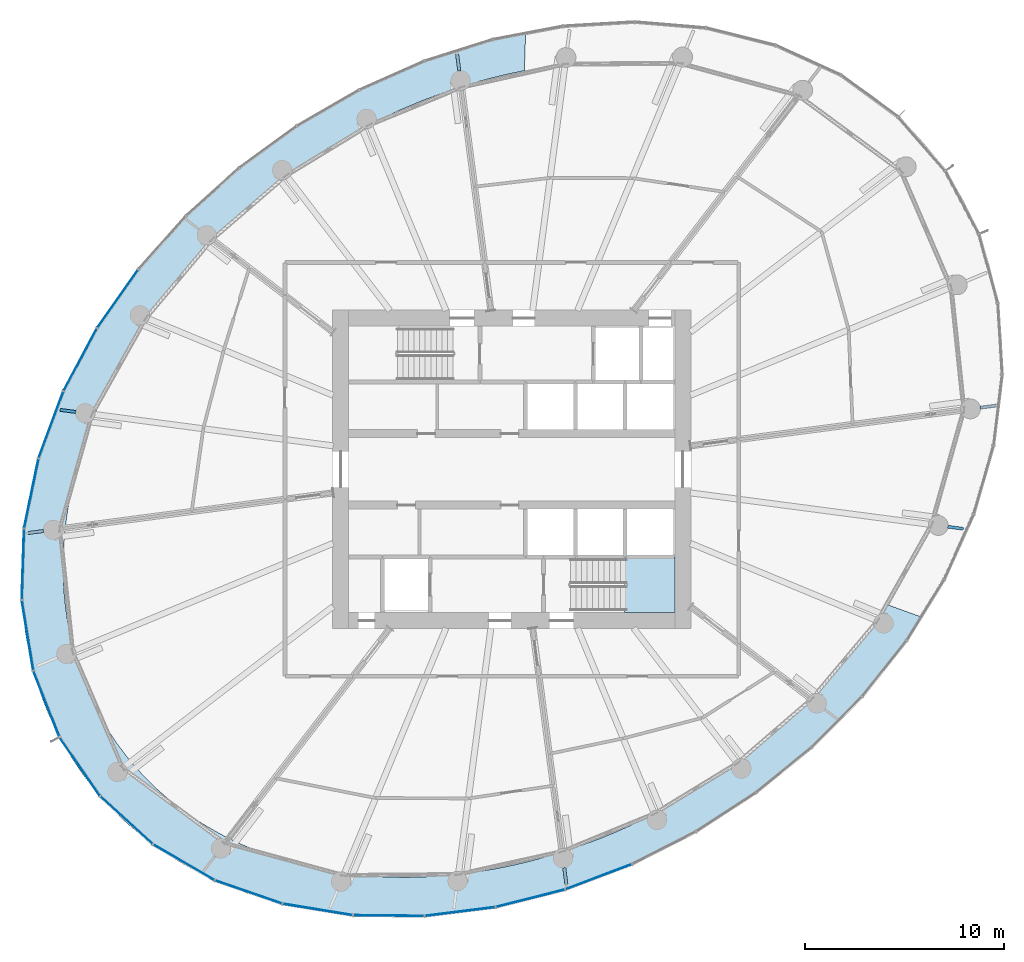
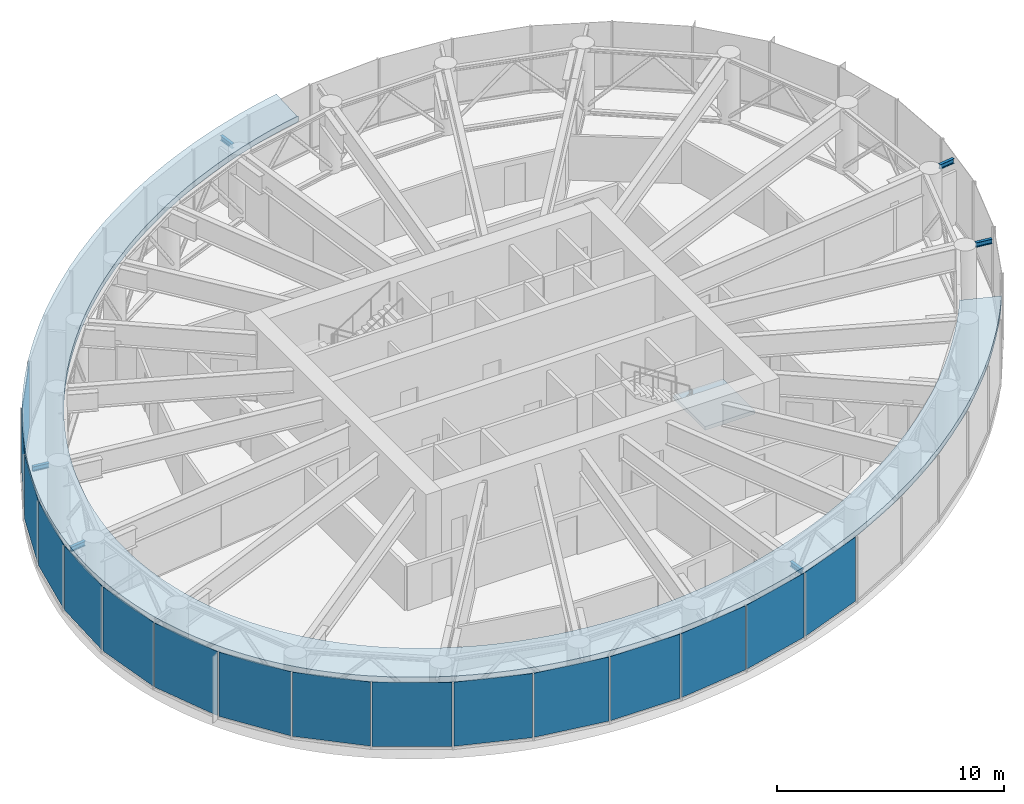
# One storey, part 11 of 25: 16 plates, 6 beams, 2 slabs, 4 elements without a shape of their own.
"""IFC4 building model written with IfcOpenShell, lengths in metres."""

from ifc_helpers import new_model, si_unit, direction, frame, origin, origin_2d, place, context, subcontext, project, spatial, line, indexed_curve, rectangle, i_section, outline, extrude, source, transform, mapped, material, layer, layer_set, material_profile, profile_set, type_object, element, aggregate, save


model = new_model("IFC4")

# Units and contexts
model_context = context("Model", 3, precision=1e-05, world=origin(), true_north=direction((0.0, 1.0)))
body_context = subcontext(model_context, "Body", "Model", "MODEL_VIEW")
ifc_project = project(units=[si_unit("LENGTHUNIT", "METRE"), si_unit("AREAUNIT", "SQUARE_METRE"), si_unit("VOLUMEUNIT", "CUBIC_METRE"), si_unit("PLANEANGLEUNIT", "RADIAN"), si_unit("MASSUNIT", "GRAM", prefix="KILO")], contexts=[model_context])

# Site, building, storey
site_placement = place(None, origin())
site = spatial("IfcSite", under=ifc_project, at=site_placement, CompositionType="ELEMENT")
building_placement = place(site_placement, origin())
building = spatial("IfcBuilding", under=site, at=building_placement, Name="Spindrift Exchange Tower", CompositionType="ELEMENT")
storey_placement = place(building_placement, frame((0.0, 0.0, 179.89990234375)))
storey = spatial("IfcBuildingStorey", under=building, at=storey_placement, Name="L43", CompositionType="ELEMENT", Elevation=179.89990234375)

# Beams
ifc_material_1 = material(Name="Steel Grade 300", Category="steel")
ifc_material_profile = material_profile(ifc_material_1, i_section(OverallWidth=0.14599609375, OverallDepth=0.251953125, WebThickness=0.006103515625, FlangeThickness=0.008544921875, FilletRadius=0.011962890625, at=origin_2d()), Name="250UB31.4")
ifc_profile_set = profile_set([ifc_material_profile], Name="Steel Grade 300")
beam_type = type_object("IfcBeamType", Name="Cantilever Beam 250UB31.4 Steel Grade 300", PredefinedType="BEAM", material=ifc_profile_set)
shared_shape_1 = source(origin(), body_context, "Body", "SweptSolid", [
    extrude(i_section(OverallWidth=0.14599609375, OverallDepth=0.251953125, WebThickness=0.006103515625, FlangeThickness=0.008544921875, FilletRadius=0.011962890625, at=origin_2d()), origin(), (0.0, 0.0, 1.0), 0.78466796875),
])
for number, where, z_axis, x_axis, name in (
    (1, (75.537841796875, 51.098876953125, 3.4541015625), (0.991468055404, 0.130349894953, 0.0), (-0.130349894953, 0.991468055404, 0.0), "L43 cantilever beam R01T"),
    (2, (28.462158203125, 44.901123046875, 3.4541015625), (-0.991468055404, -0.130349894953, 0.0), (0.130349894953, -0.991468055404, 0.0), "L43 cantilever beam R13T"),
):
    element("IfcBeam", number, at=place(storey_placement, frame(where, z_axis=z_axis, x_axis=x_axis)), inside=storey, type_object=beam_type, Name=name, PredefinedType="BEAM", context=body_context, shape_type="MappedRepresentation", body=[
        mapped(shared_shape_1, transform((0.0, 0.0, 0.0), scale=1.0)),
    ])
shared_shape_2 = source(origin(), body_context, "Body", "SweptSolid", [
    extrude(i_section(OverallWidth=0.14599609375, OverallDepth=0.251953125, WebThickness=0.006103515625, FlangeThickness=0.008544921875, FilletRadius=0.011962890625, at=origin_2d()), origin(), (0.0, 0.0, 1.0), 0.84228515625),
])
for number, where, z_axis, x_axis, name in (
    (3, (49.36328125, 68.027099609375, 3.4541015625), (-0.130417027817, 0.991459227026, 0.0), (-0.991459227026, -0.130417027817, 0.0), "L43 cantilever beam R07T"),
    (4, (54.63671875, 27.972900390625, 3.4541015625), (0.130417027817, -0.991459227026, 0.0), (0.991459227026, 0.130417027817, 0.0), "L43 cantilever beam R19T"),
):
    element("IfcBeam", number, at=place(storey_placement, frame(where, z_axis=z_axis, x_axis=x_axis)), inside=storey, type_object=beam_type, Name=name, PredefinedType="BEAM", context=body_context, shape_type="MappedRepresentation", body=[
        mapped(shared_shape_2, transform((0.0, 0.0, 0.0), scale=1.0)),
    ])
shared_shape_3 = source(origin(), body_context, "Body", "SweptSolid", [
    extrude(i_section(OverallWidth=0.14599609375, OverallDepth=0.251953125, WebThickness=0.006103515625, FlangeThickness=0.008544921875, FilletRadius=0.011962890625, at=origin_2d()), origin(), (0.0, 0.0, 1.0), 0.7890625),
])
for number, where, z_axis, x_axis, name in (
    (5, (30.0830078125, 50.885498046875, 3.4541015625), (-0.99147745178, 0.130278404244, 0.0), (-0.130278404244, -0.99147745178, 0.0), "L43 cantilever beam R12T"),
    (6, (73.9169921875, 45.114501953125, 3.4541015625), (0.99147745178, -0.130278404244, 0.0), (0.130278404244, 0.99147745178, 0.0), "L43 cantilever beam R24T"),
):
    element("IfcBeam", number, at=place(storey_placement, frame(where, z_axis=z_axis, x_axis=x_axis)), inside=storey, type_object=beam_type, Name=name, PredefinedType="BEAM", context=body_context, shape_type="MappedRepresentation", body=[
        mapped(shared_shape_3, transform((0.0, 0.0, 0.0), scale=1.0)),
    ])

# Slab
ifc_material_2 = material(Name="Concrete 40 MPa", Category="concrete")
ifc_layer_1 = layer(ifc_material_2, 0.320068359375)
ifc_layer_set_1 = layer_set([ifc_layer_1], Name="RC Ledge Roof Slab 320 Concrete 40 MPa")
slab_type_1 = type_object("IfcSlabType", Name="RC Ledge Roof Slab 320 Concrete 40 MPa", PredefinedType="ROOF", material=ifc_layer_set_1)
slab_1_placement = place(storey_placement, frame((0.0, 0.0, 3.580078125)))
element("IfcSlab", 7, at=slab_1_placement, inside=storey, type_object=slab_type_1, Name="Setback ledge roof L44", PredefinedType="ROOF", context=body_context, shape_type="SweptSolid", body=[
    extrude(outline(indexed_curve([(72.654541015625, 40.598388671875), (72.1904296875, 39.888916015625), (71.72265625, 39.2158203125), (71.481689453125, 38.883544921875), (70.986572265625, 38.228515625), (70.475341796875, 37.587646484375), (70.212890625, 37.271484375), (69.6767578125, 36.650146484375), (69.12548828125, 36.043212890625), (68.843505859375, 35.744140625), (68.27001953125, 35.158203125), (67.9775390625, 34.870361328125), (67.681396484375, 34.585693359375), (67.07958984375, 34.028564453125), (66.4638671875, 33.485595703125), (65.5166015625, 32.69970703125), (64.5419921875, 31.94873046875), (63.540771484375, 31.23291015625), (62.85888671875, 30.775390625), (61.816650390625, 30.12060546875), (60.75244140625, 29.50390625), (60.0302734375, 29.114013671875), (58.929443359375, 28.56201171875), (58.185546875, 28.217041015625), (57.810302734375, 28.051513671875), (57.0537109375, 27.734130859375), (56.67236328125, 27.58251953125), (55.904296875, 27.293701171875), (55.516845703125, 27.156494140625), (54.739013671875, 26.897705078125), (53.953125, 26.65869140625), (53.558349609375, 26.547119140625), (52.76513671875, 26.340087890625), (51.9658203125, 26.154052734375), (51.161865234375, 25.990234375), (50.75830078125, 25.916748046875), (49.947265625, 25.786865234375), (49.134521484375, 25.680419921875), (48.7265625, 25.63623046875), (47.908935546875, 25.566162109375), (47.089599609375, 25.52099609375), (46.6796875, 25.5078125), (45.859130859375, 25.50146484375), (45.0380859375, 25.521484375), (44.21875, 25.56884765625), (43.402587890625, 25.644287109375), (42.9951171875, 25.692626953125), (42.183349609375, 25.811279296875), (41.375244140625, 25.959716796875), (40.574462890625, 26.13818359375), (39.7822265625, 26.34765625), (39.388916015625, 26.46435546875), (38.609619140625, 26.72119140625), (37.8408203125, 27.010986328125), (37.0859375, 27.3330078125), (36.347412109375, 27.6875), (35.983642578125, 27.877197265625), (35.269775390625, 28.281982421875), (34.57470703125, 28.72021484375), (33.903564453125, 29.18994140625), (33.5751953125, 29.43798828125), (33.254150390625, 29.693603515625), (32.939453125, 29.956787109375), (32.631591796875, 30.22802734375), (32.330810546875, 30.5068359375), (32.037109375, 30.79345703125), (31.7509765625, 31.08740234375), (31.472412109375, 31.388671875), (31.20166015625, 31.697021484375), (30.939208984375, 32.01220703125), (30.684814453125, 32.334228515625), (30.439208984375, 32.662841796875), (30.2021484375, 32.997802734375), (29.97412109375, 33.3388671875), (29.7548828125, 33.685791015625), (29.544921875, 34.0380859375), (29.34423828125, 34.39599609375), (29.15283203125, 34.7587890625), (28.970947265625, 35.126708984375), (28.798583984375, 35.498779296875), (28.635986328125, 35.87548828125), (28.48291015625, 36.256103515625), (28.339599609375, 36.640625), (28.206298828125, 37.02734375), (28.08251953125, 37.41845703125), (27.96826171875, 37.8125), (27.86376953125, 38.209228515625), (27.68359375, 39.009765625), (27.54150390625, 39.81787109375), (27.43701171875, 40.633056640625), (27.369873046875, 41.449462890625), (27.338623046875, 42.2705078125), (27.342529296875, 43.091064453125), (27.357421875, 43.501220703125), (27.412353515625, 44.318603515625), (27.5, 45.135498046875), (27.618896484375, 45.9462890625), (27.690185546875, 46.3515625), (27.8544921875, 47.154541015625), (27.947509765625, 47.553955078125), (28.048095703125, 47.95263671875), (28.269287109375, 48.741943359375), (28.517578125, 49.52490234375), (28.651611328125, 49.91259765625), (28.9384765625, 50.681396484375), (29.091064453125, 51.0625), (29.413818359375, 51.81591796875), (29.58447265625, 52.189697265625), (29.94140625, 52.927734375), (30.3212890625, 53.656005859375), (30.518798828125, 54.015625), (30.92919921875, 54.72607421875), (31.14208984375, 55.076904296875), (31.581787109375, 55.768798828125), (31.8095703125, 56.111083984375), (32.277587890625, 56.784912109375), (32.763427734375, 57.4453125), (33.012939453125, 57.77099609375), (33.524658203125, 58.412353515625), (33.786865234375, 58.728271484375), (34.05322265625, 59.041015625), (34.5966796875, 59.65478515625), (34.875, 59.957275390625), (35.441650390625, 60.55078125), (35.73046875, 60.84228515625), (36.318359375, 61.413818359375), (37.226318359375, 62.24462890625), (38.164306640625, 63.041748046875), (39.13037109375, 63.80517578125), (40.123046875, 64.53271484375), (41.14111328125, 65.224609375), (41.833251953125, 65.665283203125), (42.53515625, 66.089111328125), (43.607421875, 66.693359375), (44.70166015625, 67.25830078125), (45.070556640625, 67.43798828125), (45.81494140625, 67.783203125), (46.190185546875, 67.94873046875), (46.947021484375, 68.26611328125), (47.710693359375, 68.564208984375), (48.096435546875, 68.706298828125), (48.483154296875, 68.843505859375), (49.26171875, 69.102294921875), (49.653564453125, 69.224365234375), (50.44091796875, 69.45263671875), (51.23486328125, 69.659912109375), (51.6337890625, 69.755615234375), (52.03466796875, 69.84619140625), (52.73681640625, 69.989990234375), (52.70849609375, 69.97314453125), (52.696533203125, 69.9423828125), (52.63818359375, 68.104736328125), (52.65576171875, 68.065185546875), (52.697509765625, 68.053955078125), (51.7900390625, 67.865478515625), (51.061279296875, 67.690673828125), (50.337646484375, 67.49609375), (49.2626953125, 67.168701171875), (48.553466796875, 66.927490234375), (47.501708984375, 66.5322265625), (46.46533203125, 66.09765625), (45.78369140625, 65.78662109375), (45.10986328125, 65.459228515625), (44.444091796875, 65.115234375), (43.786865234375, 64.755615234375), (42.817626953125, 64.1865234375), (41.869873046875, 63.583251953125), (41.25, 63.162353515625), (40.339599609375, 62.503662109375), (39.745849609375, 62.04638671875), (39.16357421875, 61.5751953125), (38.592529296875, 61.08984375), (38.033447265625, 60.591064453125), (37.487060546875, 60.078857421875), (36.952880859375, 59.55322265625), (36.432373046875, 59.0146484375), (35.677001953125, 58.1826171875), (35.19091796875, 57.612060546875), (34.72021484375, 57.029541015625), (34.042724609375, 56.1328125), (33.611572265625, 55.52001953125), (33.197265625, 54.896240234375), (32.800048828125, 54.260986328125), (32.608154296875, 53.938720703125), (32.238525390625, 53.287109375), (31.88818359375, 52.625), (31.5576171875, 51.952392578125), (31.247802734375, 51.270751953125), (30.95947265625, 50.579345703125), (30.693115234375, 49.879150390625), (30.4501953125, 49.17041015625), (30.337646484375, 48.81298828125), (30.130859375, 48.092529296875), (29.949951171875, 47.365966796875), (29.868896484375, 46.999755859375), (29.727783203125, 46.26416015625), (29.614501953125, 45.5234375), (29.52978515625, 44.779541015625), (29.47509765625, 44.032470703125), (29.458984375, 43.65771484375), (29.450927734375, 42.908447265625), (29.474853515625, 42.160400390625), (29.4990234375, 41.785888671875), (29.572509765625, 41.041015625), (29.680419921875, 40.299560546875), (29.747314453125, 39.930419921875), (29.906982421875, 39.19921875), (30.000244140625, 38.835693359375), (30.213134765625, 38.117431640625), (30.46142578125, 37.411376953125), (30.74560546875, 36.718017578125), (30.90087890625, 36.377197265625), (31.06494140625, 36.039794921875), (31.4189453125, 35.37939453125), (31.806396484375, 34.739013671875), (32.0126953125, 34.426513671875), (32.227783203125, 34.118896484375), (32.679931640625, 33.5224609375), (32.918212890625, 33.232666015625), (33.416259765625, 32.673095703125), (33.942138671875, 32.14013671875), (34.2158203125, 31.88330078125), (34.780517578125, 31.39208984375), (35.36962890625, 30.929443359375), (35.673095703125, 30.70849609375), (36.2939453125, 30.29052734375), (36.612548828125, 30.09228515625), (37.26171875, 29.71875), (37.593017578125, 29.543212890625), (38.266357421875, 29.215087890625), (38.952880859375, 28.9169921875), (39.65234375, 28.6484375), (40.006591796875, 28.52490234375), (40.72119140625, 28.30029296875), (41.444091796875, 28.104736328125), (42.17431640625, 27.93701171875), (42.5419921875, 27.863525390625), (43.280517578125, 27.7373046875), (44.0224609375, 27.6376953125), (44.7685546875, 27.564208984375), (45.14208984375, 27.537109375), (45.890380859375, 27.501708984375), (46.6396484375, 27.49072265625), (47.388671875, 27.50390625), (48.13671875, 27.54052734375), (48.88330078125, 27.599853515625), (49.628173828125, 27.681396484375), (50.3701171875, 27.784912109375), (51.10888671875, 27.9091796875), (51.477294921875, 27.979248046875), (52.2099609375, 28.134521484375), (52.9384765625, 28.309326171875), (54.022216796875, 28.6083984375), (54.737060546875, 28.831298828125), (55.446533203125, 29.072509765625), (56.49853515625, 29.468017578125), (57.191162109375, 29.75341796875), (57.876708984375, 30.055908203125), (58.55419921875, 30.375), (59.22412109375, 30.710693359375), (59.8857421875, 31.062744140625), (60.538330078125, 31.43017578125), (61.50048828125, 32.010498046875), (62.13037109375, 32.4169921875), (62.75, 32.837890625), (63.660400390625, 33.496337890625), (64.254150390625, 33.95361328125), (64.836669921875, 34.425048828125), (65.407470703125, 34.91015625), (66.241455078125, 35.66357421875), (67.046875, 36.446533203125), (67.56787109375, 36.985595703125), (68.322998046875, 37.8173828125), (68.808837890625, 38.3876953125), (69.509521484375, 39.266357421875), (69.95703125, 39.8671875), (70.388427734375, 40.47998046875), (70.898193359375, 41.254150390625), (70.893310546875, 41.211181640625), (70.923583984375, 41.180419921875), (72.59521484375, 40.577880859375), (72.62841796875, 40.57763671875)], segments=[line(1, 2, 3, 4, 5, 6, 7, 8, 9, 10, 11, 12, 13, 14, 15, 16, 17, 18, 19, 20, 21, 22, 23, 24, 25, 26, 27, 28, 29, 30, 31, 32, 33, 34, 35, 36, 37, 38, 39, 40, 41, 42, 43, 44, 45, 46, 47, 48, 49, 50, 51, 52, 53, 54, 55, 56, 57, 58, 59, 60, 61, 62, 63, 64, 65, 66, 67, 68, 69, 70, 71, 72, 73, 74, 75, 76, 77, 78, 79, 80, 81, 82, 83, 84, 85, 86, 87, 88, 89, 90, 91, 92, 93, 94, 95, 96, 97, 98, 99, 100, 101, 102, 103, 104, 105, 106, 107, 108, 109, 110, 111, 112, 113, 114, 115, 116, 117, 118, 119, 120, 121, 122, 123, 124, 125, 126, 127, 128, 129, 130, 131, 132, 133, 134, 135, 136, 137, 138, 139, 140, 141, 142, 143, 144, 145, 146, 147, 148, 149, 150, 151, 152, 153, 154, 155, 156, 157, 158, 159, 160, 161, 162, 163, 164, 165, 166, 167, 168, 169, 170, 171, 172, 173, 174, 175, 176, 177, 178, 179, 180, 181, 182, 183, 184, 185, 186, 187, 188, 189, 190, 191, 192, 193, 194, 195, 196, 197, 198, 199, 200, 201, 202, 203, 204, 205, 206, 207, 208, 209, 210, 211, 212, 213, 214, 215, 216, 217, 218, 219, 220, 221, 222, 223, 224, 225, 226, 227, 228, 229, 230, 231, 232, 233, 234, 235, 236, 237, 238, 239, 240, 241, 242, 243, 244, 245, 246, 247, 248, 249, 250, 251, 252, 253, 254, 255, 256, 257, 258, 259, 260, 261, 262, 263, 264, 265, 266, 267, 268, 269, 270, 271, 272, 273, 274, 275, 276, 277, 278, 279, 280, 281, 282, 1)], self_intersect=False)), origin(), (0.0, 0.0, 1.0), 0.320068359375),
])

# Stair, slab
ifc_material_3 = material(Name="Concrete 50 MPa", Category="concrete")
stair_type = type_object("IfcStairType", Name="ST-1250-R177", PredefinedType="HALF_TURN_STAIR", material=ifc_material_3)
stair_placement = place(storey_placement, origin())
stair = element("IfcStair", 8, at=stair_placement, inside=storey, type_object=stair_type, Name="L43 Exit stair ST2", PredefinedType="HALF_TURN_STAIR")
ifc_layer_2 = layer(ifc_material_3, 0.199951171875)
ifc_layer_set_2 = layer_set([ifc_layer_2], Name="SL-LANDING")
slab_type_2 = type_object("IfcSlabType", Name="SL-LANDING", PredefinedType="LANDING", material=ifc_layer_set_2)
slab_2_placement = place(storey_placement, frame((0.0, 0.0, 1.75)))
slab_2 = element("IfcSlab", 9, at=slab_2_placement, type_object=slab_type_2, Name="ST2 landing 1", PredefinedType="LANDING", context=body_context, shape_type="SweptSolid", body=[
    extrude(outline(indexed_curve([(57.669921875, 43.60009765625), (60.199951171875, 43.60009765625), (60.199951171875, 40.800048828125), (57.669921875, 40.800048828125)], segments=[line(1, 2, 3, 4, 1)], self_intersect=False)), origin(), (0.0, 0.0, 1.0), 0.2001953125),
])
aggregate(stair, [slab_2])

# Curtain wall, plate
ifc_material_4 = material(Name="Fritted laminated glass with bronze frame", Category="glass")
ifc_layer_3 = layer(ifc_material_4, 0.179931640625)
ifc_layer_set_3 = layer_set([ifc_layer_3], Name="ZONE 3 BRONZE FRITTED WALL")
curtain_wall_type = type_object("IfcCurtainWallType", Name="ZONE 3 BRONZE FRITTED WALL", PredefinedType="NOTDEFINED", material=ifc_layer_set_3)
curtain_wall_1_placement = place(storey_placement, origin())
curtain_wall_1 = element("IfcCurtainWall", 10, at=curtain_wall_1_placement, inside=storey, type_object=curtain_wall_type, Name="L43 Zone 3 Bronze Fritted Wall run 4", PredefinedType="NOTDEFINED")
ifc_material_5 = material(Name="Bronze fritted laminated glass, dense frit", Category="glass")
ifc_layer_4 = layer(ifc_material_5, 0.031982421875)
ifc_layer_set_4 = layer_set([ifc_layer_4], Name="ZONE 3 BRONZE FRITTED WALL PANEL DENSE FRIT 420")
plate_type_1 = type_object("IfcPlateType", Name="ZONE 3 BRONZE FRITTED WALL PANEL DENSE FRIT 420", PredefinedType="CURTAIN_PANEL", material=ifc_layer_set_4)
shared_shape_4 = source(origin(), body_context, "Body", "SweptSolid", [
    extrude(rectangle(XDim=3.524658203125, YDim=0.031982421875, at=origin_2d()), origin(), (0.0, 0.0, 1.0), 3.449951171875),
])
plate_1_placement = place(storey_placement, frame((30.28759765625, 33.055908203125, 0.1298828125), z_axis=(0.0, 0.0, 1.0), x_axis=(0.5669526935, -0.823750352554, 0.0)))
plate_1 = element("IfcPlate", 11, at=plate_1_placement, type_object=plate_type_1, Name="L43 panel CW-3.21", PredefinedType="CURTAIN_PANEL", context=body_context, shape_type="MappedRepresentation", body=[
    mapped(shared_shape_4, transform((0.0, 0.0, 0.0), scale=1.0)),
])

# Curtain wall, plates
curtain_wall_2_placement = place(storey_placement, origin())
curtain_wall_2 = element("IfcCurtainWall", 12, at=curtain_wall_2_placement, inside=storey, type_object=curtain_wall_type, Name="L43 Zone 3 Bronze Fritted Wall run 5", PredefinedType="NOTDEFINED")
shared_shape_5 = source(origin(), body_context, "Body", "SweptSolid", [
    extrude(rectangle(XDim=3.530517578125, YDim=0.031982421875, at=origin_2d()), origin(), (0.0, 0.0, 1.0), 3.449951171875),
])
plate_2_placement = place(storey_placement, frame((52.936279296875, 26.4375, 0.1298828125), z_axis=(0.0, 0.0, 1.0), x_axis=(0.969404663065, 0.245468122632, 0.0)))
plate_2 = element("IfcPlate", 13, at=plate_2_placement, type_object=plate_type_1, Name="L43 panel CW-3.28", PredefinedType="CURTAIN_PANEL", context=body_context, shape_type="MappedRepresentation", body=[
    mapped(shared_shape_5, transform((0.0, 0.0, 0.0), scale=1.0)),
])
ifc_layer_5 = layer(ifc_material_5, 0.031982421875)
ifc_layer_set_5 = layer_set([ifc_layer_5], Name="ZONE 3 BRONZE FRITTED WALL PANEL DENSE FRIT 300")
plate_type_2 = type_object("IfcPlateType", Name="ZONE 3 BRONZE FRITTED WALL PANEL DENSE FRIT 300", PredefinedType="CURTAIN_PANEL", material=ifc_layer_set_5)
shared_shape_6 = source(origin(), body_context, "Body", "SweptSolid", [
    extrude(rectangle(XDim=3.53076171875, YDim=0.031982421875, at=origin_2d()), origin(), (0.0, 0.0, 1.0), 3.449951171875),
])
plate_3_placement = place(storey_placement, frame((56.36474609375, 27.517578125, 0.1298828125), z_axis=(0.0, 0.0, 1.0), x_axis=(0.935062224022, 0.354483620505, 0.0)))
plate_3 = element("IfcPlate", 14, at=plate_3_placement, type_object=plate_type_2, Name="L43 panel CW-3.29", PredefinedType="CURTAIN_PANEL", context=body_context, shape_type="MappedRepresentation", body=[
    mapped(shared_shape_6, transform((0.0, 0.0, 0.0), scale=1.0)),
])

curtain_wall_3_placement = place(storey_placement, origin())
curtain_wall_3 = element("IfcCurtainWall", 15, at=curtain_wall_3_placement, inside=storey, type_object=curtain_wall_type, Name="L43 Zone 3 Bronze Fritted Wall run 3", PredefinedType="NOTDEFINED")
shared_shape_7 = source(origin(), body_context, "Body", "SweptSolid", [
    extrude(rectangle(XDim=3.530517578125, YDim=0.031982421875, at=origin_2d()), origin(), (0.0, 0.0, 1.0), 3.449951171875),
])
plate_4_placement = place(storey_placement, frame((32.193603515625, 56.574462890625, 0.1298828125), z_axis=(0.0, 0.0, 1.0), x_axis=(-0.57545211164, -0.817835476859, 0.0)))
plate_4 = element("IfcPlate", 16, at=plate_4_placement, type_object=plate_type_2, Name="L43 panel CW-3.14", PredefinedType="CURTAIN_PANEL", context=body_context, shape_type="MappedRepresentation", body=[
    mapped(shared_shape_7, transform((0.0, 0.0, 0.0), scale=1.0)),
])
ifc_layer_6 = layer(ifc_material_5, 0.031982421875)
ifc_layer_set_6 = layer_set([ifc_layer_6], Name="ZONE 3 BRONZE FRITTED WALL PANEL DENSE FRIT 180")
plate_type_3 = type_object("IfcPlateType", Name="ZONE 3 BRONZE FRITTED WALL PANEL DENSE FRIT 180", PredefinedType="CURTAIN_PANEL", material=ifc_layer_set_6)
shared_shape_8 = source(origin(), body_context, "Body", "SweptSolid", [
    extrude(rectangle(XDim=3.530029296875, YDim=0.031982421875, at=origin_2d()), origin(), (0.0, 0.0, 1.0), 3.449951171875),
])
plate_5_placement = place(storey_placement, frame((30.310302734375, 53.513916015625, 0.1298828125), z_axis=(0.0, 0.0, 1.0), x_axis=(-0.470690073109, -0.882298620126, 0.0)))
plate_5 = element("IfcPlate", 17, at=plate_5_placement, type_object=plate_type_3, Name="L43 panel CW-3.15", PredefinedType="CURTAIN_PANEL", context=body_context, shape_type="MappedRepresentation", body=[
    mapped(shared_shape_8, transform((0.0, 0.0, 0.0), scale=1.0)),
])
shared_shape_9 = source(origin(), body_context, "Body", "SweptSolid", [
    extrude(rectangle(XDim=3.529541015625, YDim=0.031982421875, at=origin_2d()), origin(), (0.0, 0.0, 1.0), 3.449951171875),
])
plate_6_placement = place(storey_placement, frame((28.838134765625, 50.238037109375, 0.1298828125), z_axis=(0.0, 0.0, 1.0), x_axis=(-0.347351396417, -0.937735041154, 0.0)))
plate_6 = element("IfcPlate", 18, at=plate_6_placement, type_object=plate_type_1, Name="L43 panel CW-3.16", PredefinedType="CURTAIN_PANEL", context=body_context, shape_type="MappedRepresentation", body=[
    mapped(shared_shape_9, transform((0.0, 0.0, 0.0), scale=1.0)),
])
shared_shape_10 = source(origin(), body_context, "Body", "SweptSolid", [
    extrude(rectangle(XDim=3.528564453125, YDim=0.031982421875, at=origin_2d()), origin(), (0.0, 0.0, 1.0), 3.449951171875),
])
plate_7_placement = place(storey_placement, frame((27.849609375, 46.7880859375, 0.1298828125), z_axis=(0.0, 0.0, 1.0), x_axis=(-0.201937813262, -0.979398345708, 0.0)))
plate_7 = element("IfcPlate", 19, at=plate_7_placement, type_object=plate_type_1, Name="L43 panel CW-3.17", PredefinedType="CURTAIN_PANEL", context=body_context, shape_type="MappedRepresentation", body=[
    mapped(shared_shape_10, transform((0.0, 0.0, 0.0), scale=1.0)),
])

# Plate
plate_8_placement = place(storey_placement, frame((42.243896484375, 25.87451171875, 0.1298828125), z_axis=(0.0, 0.0, 1.0), x_axis=(0.986935135503, -0.161118088091, 0.0)))
plate_8 = element("IfcPlate", 20, at=plate_8_placement, type_object=plate_type_1, Name="L43 panel CW-3.25", PredefinedType="CURTAIN_PANEL", context=body_context, shape_type="MappedRepresentation", body=[
    mapped(shared_shape_10, transform((0.0, 0.0, 0.0), scale=1.0)),
])

shared_shape_11 = source(origin(), body_context, "Body", "SweptSolid", [
    extrude(rectangle(XDim=3.527587890625, YDim=0.031982421875, at=origin_2d()), origin(), (0.0, 0.0, 1.0), 3.449951171875),
])
plate_9_placement = place(storey_placement, frame((27.4287109375, 43.22802734375, 0.1298828125), z_axis=(0.0, 0.0, 1.0), x_axis=(-0.031993406033, -0.999488079954, 0.0)))
plate_9 = element("IfcPlate", 21, at=plate_9_placement, type_object=plate_type_2, Name="L43 panel CW-3.18", PredefinedType="CURTAIN_PANEL", context=body_context, shape_type="MappedRepresentation", body=[
    mapped(shared_shape_11, transform((0.0, 0.0, 0.0), scale=1.0)),
])

aggregate(curtain_wall_3, [plate_4, plate_5, plate_6, plate_7, plate_9])

shared_shape_12 = source(origin(), body_context, "Body", "SweptSolid", [
    extrude(rectangle(XDim=3.526123046875, YDim=0.031982421875, at=origin_2d()), origin(), (0.0, 0.0, 1.0), 3.449951171875),
])
plate_10_placement = place(storey_placement, frame((27.660400390625, 39.655517578125, 0.1298828125), z_axis=(0.0, 0.0, 1.0), x_axis=(0.160835587106, -0.986981212547, 0.0)))
plate_10 = element("IfcPlate", 22, at=plate_10_placement, type_object=plate_type_2, Name="L43 panel CW-3.19", PredefinedType="CURTAIN_PANEL", context=body_context, shape_type="MappedRepresentation", body=[
    mapped(shared_shape_12, transform((0.0, 0.0, 0.0), scale=1.0)),
])

plate_11_placement = place(storey_placement, frame((35.513916015625, 28.244873046875, 0.1298828125), z_axis=(0.0, 0.0, 1.0), x_axis=(0.864463497217, -0.502695595743, 0.0)))
plate_11 = element("IfcPlate", 23, at=plate_11_placement, type_object=plate_type_2, Name="L43 panel CW-3.23", PredefinedType="CURTAIN_PANEL", context=body_context, shape_type="MappedRepresentation", body=[
    mapped(shared_shape_12, transform((0.0, 0.0, 0.0), scale=1.0)),
])

shared_shape_13 = source(origin(), body_context, "Body", "SweptSolid", [
    extrude(rectangle(XDim=3.525146484375, YDim=0.031982421875, at=origin_2d()), origin(), (0.0, 0.0, 1.0), 3.449951171875),
])
plate_12_placement = place(storey_placement, frame((28.609130859375, 36.20849609375, 0.1298828125), z_axis=(0.0, 0.0, 1.0), x_axis=(0.366946129288, -0.930242193303, 0.0)))
plate_12 = element("IfcPlate", 24, at=plate_12_placement, type_object=plate_type_2, Name="L43 panel CW-3.20", PredefinedType="CURTAIN_PANEL", context=body_context, shape_type="MappedRepresentation", body=[
    mapped(shared_shape_13, transform((0.0, 0.0, 0.0), scale=1.0)),
])

shared_shape_14 = source(origin(), body_context, "Body", "SweptSolid", [
    extrude(rectangle(XDim=3.525146484375, YDim=0.031982421875, at=origin_2d()), origin(), (0.0, 0.0, 1.0), 3.449951171875),
])
plate_13_placement = place(storey_placement, frame((32.633056640625, 30.362060546875, 0.1298828125), z_axis=(0.0, 0.0, 1.0), x_axis=(0.737878399604, -0.674933676296, 0.0)))
plate_13 = element("IfcPlate", 25, at=plate_13_placement, type_object=plate_type_3, Name="L43 panel CW-3.22", PredefinedType="CURTAIN_PANEL", context=body_context, shape_type="MappedRepresentation", body=[
    mapped(shared_shape_14, transform((0.0, 0.0, 0.0), scale=1.0)),
])

shared_shape_15 = source(origin(), body_context, "Body", "SweptSolid", [
    extrude(rectangle(XDim=3.527587890625, YDim=0.031982421875, at=origin_2d()), origin(), (0.0, 0.0, 1.0), 3.449951171875),
])
plate_14_placement = place(storey_placement, frame((38.768310546875, 26.752685546875, 0.1298828125), z_axis=(0.0, 0.0, 1.0), x_axis=(0.945016282268, -0.327023280898, 0.0)))
plate_14 = element("IfcPlate", 26, at=plate_14_placement, type_object=plate_type_3, Name="L43 panel CW-3.24", PredefinedType="CURTAIN_PANEL", context=body_context, shape_type="MappedRepresentation", body=[
    mapped(shared_shape_15, transform((0.0, 0.0, 0.0), scale=1.0)),
])

aggregate(curtain_wall_1, [plate_10, plate_12, plate_1, plate_13, plate_11, plate_14])

shared_shape_16 = source(origin(), body_context, "Body", "SweptSolid", [
    extrude(rectangle(XDim=3.529541015625, YDim=0.031982421875, at=origin_2d()), origin(), (0.0, 0.0, 1.0), 3.449951171875),
])
plate_15_placement = place(storey_placement, frame((45.8193359375, 25.56591796875, 0.1298828125), z_axis=(0.0, 0.0, 1.0), x_axis=(0.99994573448, -0.010417681861, 0.0)))
plate_15 = element("IfcPlate", 27, at=plate_15_placement, type_object=plate_type_2, Name="L43 panel CW-3.26", PredefinedType="CURTAIN_PANEL", context=body_context, shape_type="MappedRepresentation", body=[
    mapped(shared_shape_16, transform((0.0, 0.0, 0.0), scale=1.0)),
])

shared_shape_17 = source(origin(), body_context, "Body", "SweptSolid", [
    extrude(rectangle(XDim=3.530029296875, YDim=0.031982421875, at=origin_2d()), origin(), (0.0, 0.0, 1.0), 3.449951171875),
])
plate_16_placement = place(storey_placement, frame((49.405029296875, 25.771484375, 0.1298828125), z_axis=(0.0, 0.0, 1.0), x_axis=(0.992209788078, 0.12457823422, 0.0)))
plate_16 = element("IfcPlate", 28, at=plate_16_placement, type_object=plate_type_1, Name="L43 panel CW-3.27", PredefinedType="CURTAIN_PANEL", context=body_context, shape_type="MappedRepresentation", body=[
    mapped(shared_shape_17, transform((0.0, 0.0, 0.0), scale=1.0)),
])

aggregate(curtain_wall_2, [plate_8, plate_15, plate_16, plate_2, plate_3])

save(model, "model.ifc")
